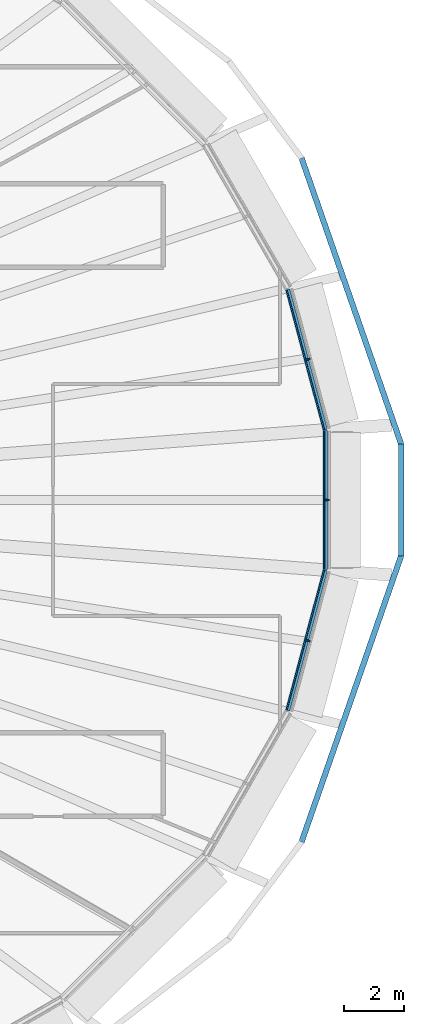
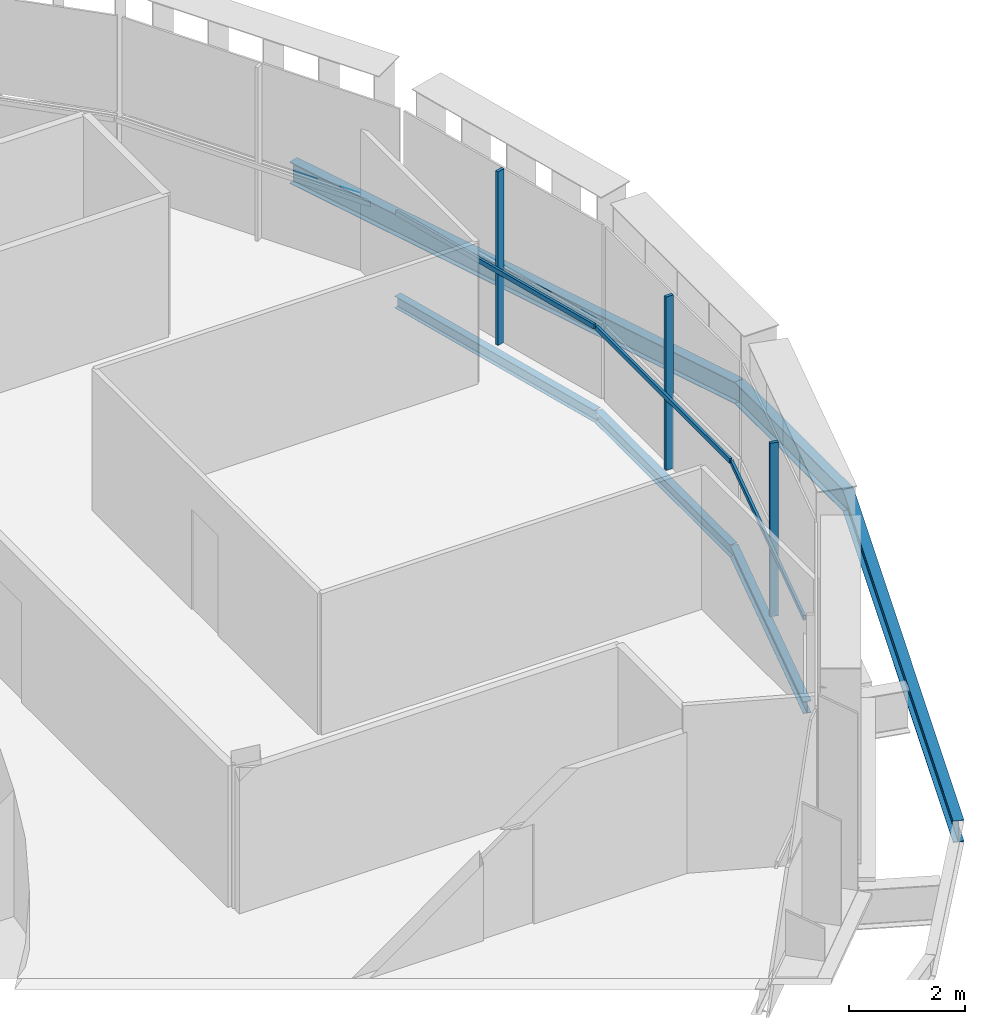
# One storey, part 12 of 25: 6 beams, 6 members, 3 elements without a shape of their own.
"""IFC4 building model written with IfcOpenShell, lengths in metres."""

import ifcopenshell
import ifcopenshell.guid

model = None  # the IFC model being written
_history = None  # IfcOwnerHistory: only IFC2X3 demands one
_inside = {}  # id of a spatial element -> (the spatial element, [elements in it])
_under = {}  # id of a project, library or spatial element -> (it, [spatial elements below it])
_declared = {}  # id of a project -> (the project, [libraries it declares])
_typed = {}  # id of a type object -> (the type object, [elements of that type])
_made_of = {}  # id of a material, layer set ... -> (it, [elements and type objects made of it])


def new_model(schema):
    """Start an empty IFC model of exactly this schema.

    Asked for "IFC4X3", IfcOpenShell would pick the latest addendum, in which some entities
    have other attributes; the version numbers below select the first issue.
    IFC2X3 requires an IfcOwnerHistory on every rooted entity: one is made here for all.
    """
    global model, _history
    if schema == "IFC4X3":
        model = ifcopenshell.file(schema_version=(4, 3, 0, 0))
    else:
        model = ifcopenshell.file(schema=schema)
    _inside.clear()
    _under.clear()
    _declared.clear()
    _typed.clear()
    _made_of.clear()
    _history = None
    if model.schema == "IFC2X3":
        org = make("IfcOrganization", Name="unknown")
        user = make(
            "IfcPersonAndOrganization",
            ThePerson=make("IfcPerson", FamilyName="unknown"),
            TheOrganization=org,
        )
        app = make(
            "IfcApplication",
            ApplicationDeveloper=org,
            Version="unknown",
            ApplicationFullName="unknown",
            ApplicationIdentifier="unknown",
        )
        _history = make(
            "IfcOwnerHistory",
            OwningUser=user,
            OwningApplication=app,
            ChangeAction="ADDED",
            CreationDate=0,
        )
    return model


def make(cls, **values):
    """One entity of the class cls with the attributes given. An attribute that is None is left unset."""
    return model.create_entity(
        cls, **{name: value for name, value in values.items() if value is not None}
    )


def rooted(cls, **values):
    """An entity with a GlobalId (a new one), such as an element, a storey or a relation."""
    return make(cls, GlobalId=ifcopenshell.guid.new(), OwnerHistory=_history, **values)


def si_unit(unit_type, name, prefix=None):
    """IfcSIUnit, for example si_unit("LENGTHUNIT", "METRE", prefix="MILLI")."""
    return make("IfcSIUnit", UnitType=unit_type, Prefix=prefix, Name=name)


def assignment(units):
    """IfcUnitAssignment: the units of a project."""
    return None if units is None else make("IfcUnitAssignment", Units=units)


def point(xyz):
    """IfcCartesianPoint."""
    return None if xyz is None else make("IfcCartesianPoint", Coordinates=xyz)


def direction(xyz):
    """IfcDirection."""
    return None if xyz is None else make("IfcDirection", DirectionRatios=xyz)


def frame(location, z_axis=None, x_axis=None):
    """IfcAxis2Placement3D, a coordinate frame: its origin and axes. An axis left out is left unset."""
    return make(
        "IfcAxis2Placement3D",
        Location=point(location),
        Axis=direction(z_axis),
        RefDirection=direction(x_axis),
    )


def frame_2d(location, x_axis=None):
    """IfcAxis2Placement2D, a coordinate frame in the plane: its origin and x axis."""
    return make(
        "IfcAxis2Placement2D", Location=point(location), RefDirection=direction(x_axis)
    )


def origin():
    """The frame at (0, 0, 0) with its axes left unset."""
    return frame((0.0, 0.0, 0.0))


def origin_2d():
    """The frame at (0, 0) in the plane with its x axis left unset."""
    return frame_2d((0.0, 0.0))


def place(relative_to, where):
    """IfcLocalPlacement: puts the frame where relative to a parent placement (None: the world)."""
    return make(
        "IfcLocalPlacement", PlacementRelTo=relative_to, RelativePlacement=where
    )


def context(
    kind, dimensions, precision=None, world=None, true_north=None, identifier=None
):
    """IfcGeometricRepresentationContext, for example the 3D "Model" context."""
    return make(
        "IfcGeometricRepresentationContext",
        ContextIdentifier=identifier,
        ContextType=kind,
        CoordinateSpaceDimension=dimensions,
        Precision=precision,
        WorldCoordinateSystem=world,
        TrueNorth=true_north,
    )


def subcontext(parent, identifier, kind, view, scale=None):
    """IfcGeometricRepresentationSubContext, for example "Body" below "Model"."""
    return make(
        "IfcGeometricRepresentationSubContext",
        ContextIdentifier=identifier,
        ContextType=kind,
        ParentContext=parent,
        TargetScale=scale,
        TargetView=view,
    )


def project(units=None, contexts=None):
    """IfcProject with its units and contexts."""
    return rooted(
        "IfcProject",
        Name="project",
        RepresentationContexts=contexts,
        UnitsInContext=assignment(units),
    )


def spatial(cls, under=None, at=None, **own):
    """A site, building, storey or space (cls), placed at a placement, below another one or the project."""
    s = rooted(cls, ObjectPlacement=at, **own)
    if under is not None:
        _under.setdefault(under.id(), (under, []))[1].append(s)
    return s


def profile(cls, at=None, kind="AREA", **sizes):
    """A parametric profile (cls). Its sizes go by their IFC names, for example OverallWidth=200.0."""
    return make(cls, ProfileType=kind, Position=at, **sizes)


def rectangle(**sizes):
    """IfcRectangleProfileDef."""
    return profile("IfcRectangleProfileDef", **sizes)


def i_section(**sizes):
    """IfcIShapeProfileDef."""
    return profile("IfcIShapeProfileDef", **sizes)


def extrude(swept, where, along, depth):
    """IfcExtrudedAreaSolid: the profile swept, set in the frame where, extruded along a direction by depth."""
    return make(
        "IfcExtrudedAreaSolid",
        SweptArea=swept,
        Position=where,
        ExtrudedDirection=direction(along),
        Depth=depth,
    )


def shape(context_of_items, identifier, shape_type, items):
    """IfcShapeRepresentation: the items that make up one representation, for example the "Body"."""
    return make(
        "IfcShapeRepresentation",
        ContextOfItems=context_of_items,
        RepresentationIdentifier=identifier,
        RepresentationType=shape_type,
        Items=items,
    )


def material(Name=None, Category=None):
    """IfcMaterial."""
    return make("IfcMaterial", Name=Name, Category=Category)


def layer(
    of_material, thickness, ventilated=None, Name=None, Category=None, Priority=None
):
    """IfcMaterialLayer: one layer of a wall or slab, of a material (None: an air gap)."""
    return make(
        "IfcMaterialLayer",
        Material=of_material,
        LayerThickness=thickness,
        IsVentilated=ventilated,
        Name=Name,
        Category=Category,
        Priority=Priority,
    )


def layer_set(layers, Name=None):
    """IfcMaterialLayerSet."""
    return make("IfcMaterialLayerSet", MaterialLayers=layers, LayerSetName=Name)


def material_profile(
    of_material, cross_section, Name=None, Category=None, Priority=None
):
    """IfcMaterialProfile: a cross section and its material."""
    return make(
        "IfcMaterialProfile",
        Name=Name,
        Material=of_material,
        Profile=cross_section,
        Priority=Priority,
        Category=Category,
    )


def profile_set(profiles, Name=None, composite=None):
    """IfcMaterialProfileSet."""
    return make(
        "IfcMaterialProfileSet",
        Name=Name,
        MaterialProfiles=profiles,
        CompositeProfile=composite,
    )


def made_of(thing, what):
    """Note that an element or type object is made of a material, layer set ...; save() writes the relation."""
    if what is not None:
        _made_of.setdefault(what.id(), (what, []))[1].append(thing)
    return thing


def type_object(cls, material=None, **own):
    """A type object (cls), such as IfcWallType, which elements share."""
    return made_of(rooted(cls, **own), material)


def element(
    cls,
    number,
    at=None,
    inside=None,
    cuts=None,
    type_object=None,
    material=None,
    context=None,
    identifier="Body",
    shape_type=None,
    held_by="IfcProductDefinitionShape",
    body=None,
    shapes=None,
    **own,
):
    """One element of the class cls, such as IfcWall. Its Tag is "e" and its number.

    at: its placement. inside: the storey or other place that contains it. cuts: it is an
    opening in that element (IfcRelVoidsElement). A single representation is given by context,
    identifier, shape_type and body (its items); several are given by shapes. held_by: the class
    of the entity that holds the representations. save() writes the other relations.
    """
    e = rooted(cls, Tag="e%d" % number, ObjectPlacement=at, **own)
    if body is not None:
        shapes = [shape(context, identifier, shape_type, body)]
    if shapes is not None:
        e.Representation = make(held_by, Representations=shapes)
    if inside is not None:
        _inside.setdefault(inside.id(), (inside, []))[1].append(e)
    if cuts is not None:
        rooted(
            "IfcRelVoidsElement", RelatingBuildingElement=cuts, RelatedOpeningElement=e
        )
    if type_object is not None:
        _typed.setdefault(type_object.id(), (type_object, []))[1].append(e)
    return made_of(e, material)


def aggregate(whole, parts):
    """IfcRelAggregates: a whole, such as a stair, and the parts it consists of."""
    return rooted("IfcRelAggregates", RelatingObject=whole, RelatedObjects=parts)


def save(model, path):
    """Write the relations noted so far, then the file.

    IfcRelAggregates (storeys below a building ...), IfcRelContainedInSpatialStructure (elements
    in a storey), IfcRelDefinesByType, IfcRelAssociatesMaterial and IfcRelDeclares: one each for
    every whole, place, type object, material and project.
    """
    for whole, parts in _under.values():
        aggregate(whole, parts)
    for where, things in _inside.values():
        rooted(
            "IfcRelContainedInSpatialStructure",
            RelatedElements=things,
            RelatingStructure=where,
        )
    for kind, things in _typed.values():
        rooted("IfcRelDefinesByType", RelatedObjects=things, RelatingType=kind)
    for what, things in _made_of.values():
        rooted("IfcRelAssociatesMaterial", RelatedObjects=things, RelatingMaterial=what)
    for by, libraries in _declared.values():
        rooted("IfcRelDeclares", RelatingContext=by, RelatedDefinitions=libraries)
    model.write(path)


model = new_model("IFC4")

# Units and contexts
model_context = context("Model", 3, precision=1e-05, world=origin(), true_north=direction((0.0, 1.0)))
body_context = subcontext(model_context, "Body", "Model", "MODEL_VIEW")
ifc_project = project(units=[si_unit("LENGTHUNIT", "METRE"), si_unit("AREAUNIT", "SQUARE_METRE"), si_unit("VOLUMEUNIT", "CUBIC_METRE"), si_unit("PLANEANGLEUNIT", "RADIAN"), si_unit("MASSUNIT", "GRAM", prefix="KILO")], contexts=[model_context])

# Site, building, storey
site_placement = place(None, origin())
site = spatial("IfcSite", under=ifc_project, at=site_placement, CompositionType="ELEMENT")
building_placement = place(site_placement, origin())
building = spatial("IfcBuilding", under=site, at=building_placement, Name="Sahrelin Media Tower", CompositionType="ELEMENT")
storey_placement = place(building_placement, frame((0.0, 0.0, 144.0)))
storey = spatial("IfcBuildingStorey", under=building, at=storey_placement, Name="L29", CompositionType="ELEMENT", Elevation=144.0)

# Beams
ifc_material_1 = material(Name="Steel S355", Category="steel")
ifc_material_profile_1 = material_profile(ifc_material_1, i_section(OverallWidth=0.14599609375, OverallDepth=0.25146484375, WebThickness=0.006103515625, FlangeThickness=0.008544921875, FilletRadius=0.007568359375, at=origin_2d()), Name="UB 254x146x31")
ifc_profile_set_1 = profile_set([ifc_material_profile_1], Name="Steel S355")
beam_type_1 = type_object("IfcBeamType", Name="Edge beam EB1", PredefinedType="BEAM", material=ifc_profile_set_1)
beam_1_placement = place(storey_placement, frame((31.4287109375, 2.32421875, -0.275634765625), z_axis=(0.0, -1.0, 0.0), x_axis=(1.0, 0.0, 0.0)))
element("IfcBeam", 1, at=beam_1_placement, inside=storey, type_object=beam_type_1, Name="Edge beam L29-01", PredefinedType="BEAM", context=body_context, shape_type="SweptSolid", body=[
    extrude(i_section(OverallWidth=0.14599609375, OverallDepth=0.25146484375, WebThickness=0.006103515625, FlangeThickness=0.008544921875, FilletRadius=0.007568359375, at=origin_2d()), origin(), (0.0, 0.0, 1.0), 4.6484375),
])
for number, where, z_axis, x_axis, name in (
    (2, (31.4248046875, -2.352783203125, -0.275634765625), (-0.258796286999, -0.965931924017, 0.0), (0.965931924017, -0.258796286999, 0.0), "Edge beam L29-02"),
    (3, (30.165771484375, 7.052001953125, -0.275634765625), (0.258796286999, -0.965931924017, 0.0), (0.965931924017, 0.258796286999, 0.0), "Edge beam L29-24"),
):
    element("IfcBeam", number, at=place(storey_placement, frame(where, z_axis=z_axis, x_axis=x_axis)), inside=storey, type_object=beam_type_1, Name=name, PredefinedType="BEAM", context=body_context, shape_type="SweptSolid", body=[
        extrude(i_section(OverallWidth=0.14599609375, OverallDepth=0.25146484375, WebThickness=0.006103515625, FlangeThickness=0.008544921875, FilletRadius=0.007568359375, at=origin_2d()), origin(), (0.0, 0.0, 1.0), 4.864990234375),
    ])

# Curtain wall, member
ifc_material_2 = material(Name="Champagne anodised aluminium 6063-T6", Category="aluminium")
ifc_layer = layer(ifc_material_2, 0.14990234375)
ifc_layer_set = layer_set([ifc_layer], Name="Tower ribbon curtain wall")
curtain_wall_type = type_object("IfcCurtainWallType", Name="Tower ribbon curtain wall", PredefinedType="NOTDEFINED", material=ifc_layer_set)
curtain_wall_1_placement = place(storey_placement, frame((31.57861328125, 0.0, 0.0), z_axis=(0.0, 0.0, 1.0), x_axis=(1.0, 0.0, 0.0)))
curtain_wall_1 = element("IfcCurtainWall", 4, at=curtain_wall_1_placement, inside=storey, type_object=curtain_wall_type, Name="L29:CW:L29-00", PredefinedType="NOTDEFINED")
ifc_material_profile_2 = material_profile(ifc_material_2, rectangle(XDim=0.06005859375, YDim=0.14990234375, at=origin_2d()), Name="Mullion 60x150")
ifc_profile_set_2 = profile_set([ifc_material_profile_2], Name="Champagne anodised aluminium 6063-T6")
member_type_1 = type_object("IfcMemberType", Name="Mullion 60x150 CW1", PredefinedType="MULLION", material=ifc_profile_set_2)
member_1_placement = place(storey_placement, frame((31.483642578125, 0.0, 0.0), z_axis=(0.0, 0.0, 1.0), x_axis=(0.0, 1.0, 0.0)))
member_1 = element("IfcMember", 5, at=member_1_placement, type_object=member_type_1, Name="L29:CWM:L29-00", PredefinedType="MULLION", context=body_context, shape_type="SweptSolid", body=[
    extrude(rectangle(XDim=0.06005859375, YDim=0.14990234375, at=origin_2d()), origin(), (0.0, 0.0, 1.0), 3.648681640625),
])

curtain_wall_2_placement = place(storey_placement, frame((30.940185546875, 4.7412109375, 0.0), z_axis=(0.0, 0.0, 1.0), x_axis=(1.0, 0.0, 0.0)))
curtain_wall_2 = element("IfcCurtainWall", 6, at=curtain_wall_2_placement, inside=storey, type_object=curtain_wall_type, Name="L29:CW:L29-01", PredefinedType="NOTDEFINED")
member_2_placement = place(storey_placement, frame((30.848388671875, 4.716552734375, 0.0), z_axis=(0.0, 0.0, 1.0), x_axis=(-0.258827474386, 0.96592356763, 0.0)))
member_2 = element("IfcMember", 7, at=member_2_placement, type_object=member_type_1, Name="L29:CWM:L29-01", PredefinedType="MULLION", context=body_context, shape_type="SweptSolid", body=[
    extrude(rectangle(XDim=0.06005859375, YDim=0.14990234375, at=origin_2d()), origin(), (0.0, 0.0, 1.0), 3.648681640625),
])

curtain_wall_3_placement = place(storey_placement, frame((30.940185546875, -4.7412109375, 0.0), z_axis=(0.0, 0.0, 1.0), x_axis=(1.0, 0.0, 0.0)))
curtain_wall_3 = element("IfcCurtainWall", 8, at=curtain_wall_3_placement, inside=storey, type_object=curtain_wall_type, Name="L29:CW:L29-23", PredefinedType="NOTDEFINED")
member_3_placement = place(storey_placement, frame((30.848388671875, -4.716552734375, 0.0), z_axis=(0.0, 0.0, 1.0), x_axis=(0.258827474386, 0.96592356763, 0.0)))
member_3 = element("IfcMember", 9, at=member_3_placement, type_object=member_type_1, Name="L29:CWM:L29-23", PredefinedType="MULLION", context=body_context, shape_type="SweptSolid", body=[
    extrude(rectangle(XDim=0.06005859375, YDim=0.14990234375, at=origin_2d()), origin(), (0.0, 0.0, 1.0), 3.648681640625),
])

# Beams
ifc_material_profile_3 = material_profile(ifc_material_1, i_section(OverallWidth=0.1904296875, OverallDepth=0.45703125, WebThickness=0.009033203125, FlangeThickness=0.014404296875, FilletRadius=0.01025390625, at=origin_2d()), Name="UB 457x191x74")
ifc_profile_set_3 = profile_set([ifc_material_profile_3], Name="Steel S355")
beam_type_2 = type_object("IfcBeamType", Name="Tie chord TC5", PredefinedType="BEAM", material=ifc_profile_set_3)
for number, where, z_axis, x_axis, name in (
    (10, (33.968505859375, 1.8701171875, -0.37841796875), (-0.32875951302, 0.944413671332, 0.0), (-0.944413671332, -0.32875951302, 0.0), "Tie chord L29-01"),
    (11, (30.632568359375, -11.453125, -0.37841796875), (0.32875951302, 0.944413671332, 0.0), (-0.944413671332, 0.32875951302, 0.0), "Tie chord L29-23"),
):
    element("IfcBeam", number, at=place(storey_placement, frame(where, z_axis=z_axis, x_axis=x_axis)), inside=storey, type_object=beam_type_2, Name=name, PredefinedType="BEAM", context=body_context, shape_type="SweptSolid", body=[
        extrude(i_section(OverallWidth=0.1904296875, OverallDepth=0.45703125, WebThickness=0.009033203125, FlangeThickness=0.014404296875, FilletRadius=0.01025390625, at=origin_2d()), origin(), (0.0, 0.0, 1.0), 10.14697265625),
    ])
beam_2_placement = place(storey_placement, frame((33.968505859375, -1.8701171875, -0.37841796875), z_axis=(0.0, 1.0, 0.0), x_axis=(-1.0, 0.0, 0.0)))
element("IfcBeam", 12, at=beam_2_placement, inside=storey, type_object=beam_type_2, Name="Tie chord L29-24", PredefinedType="BEAM", context=body_context, shape_type="SweptSolid", body=[
    extrude(i_section(OverallWidth=0.1904296875, OverallDepth=0.45703125, WebThickness=0.009033203125, FlangeThickness=0.014404296875, FilletRadius=0.01025390625, at=origin_2d()), origin(), (0.0, 0.0, 1.0), 3.740234375),
])

# Member
ifc_material_profile_4 = material_profile(ifc_material_2, rectangle(XDim=0.050048828125, YDim=0.10009765625, at=origin_2d()), Name="Transom 50x100")
ifc_profile_set_4 = profile_set([ifc_material_profile_4], Name="Champagne anodised aluminium 6063-T6")
member_type_2 = type_object("IfcMemberType", Name="Transom 50x100 CW1", PredefinedType="USERDEFINED", material=ifc_profile_set_4)
member_4_placement = place(storey_placement, frame((31.3837890625, -2.30859375, 1.60009765625), z_axis=(0.0, 1.0, 0.0), x_axis=(-1.0, 0.0, 0.0)))
member_4 = element("IfcMember", 13, at=member_4_placement, type_object=member_type_2, Name="L29:CWT:L29-00", ObjectType="TRANSOM", PredefinedType="USERDEFINED", context=body_context, shape_type="SweptSolid", body=[
    extrude(rectangle(XDim=0.050048828125, YDim=0.10009765625, at=origin_2d()), origin(), (0.0, 0.0, 1.0), 4.6171875),
])

aggregate(curtain_wall_1, [member_1, member_4])

member_5_placement = place(storey_placement, frame((31.37744140625, 2.356201171875, 1.60009765625), z_axis=(-0.258819402949, 0.965925730404, 0.0), x_axis=(-0.965925730404, -0.258819402949, 0.0)))
member_5 = element("IfcMember", 14, at=member_5_placement, type_object=member_type_2, Name="L29:CWT:L29-01", ObjectType="TRANSOM", PredefinedType="USERDEFINED", context=body_context, shape_type="SweptSolid", body=[
    extrude(rectangle(XDim=0.050048828125, YDim=0.10009765625, at=origin_2d()), origin(), (0.0, 0.0, 1.0), 4.83349609375),
])

aggregate(curtain_wall_2, [member_2, member_5])

member_6_placement = place(storey_placement, frame((30.12646484375, -7.02490234375, 1.60009765625), z_axis=(0.258819402949, 0.965925730404, 0.0), x_axis=(-0.965925730404, 0.258819402949, 0.0)))
member_6 = element("IfcMember", 15, at=member_6_placement, type_object=member_type_2, Name="L29:CWT:L29-23", ObjectType="TRANSOM", PredefinedType="USERDEFINED", context=body_context, shape_type="SweptSolid", body=[
    extrude(rectangle(XDim=0.050048828125, YDim=0.10009765625, at=origin_2d()), origin(), (0.0, 0.0, 1.0), 4.83349609375),
])

aggregate(curtain_wall_3, [member_3, member_6])

save(model, "model.ifc")
